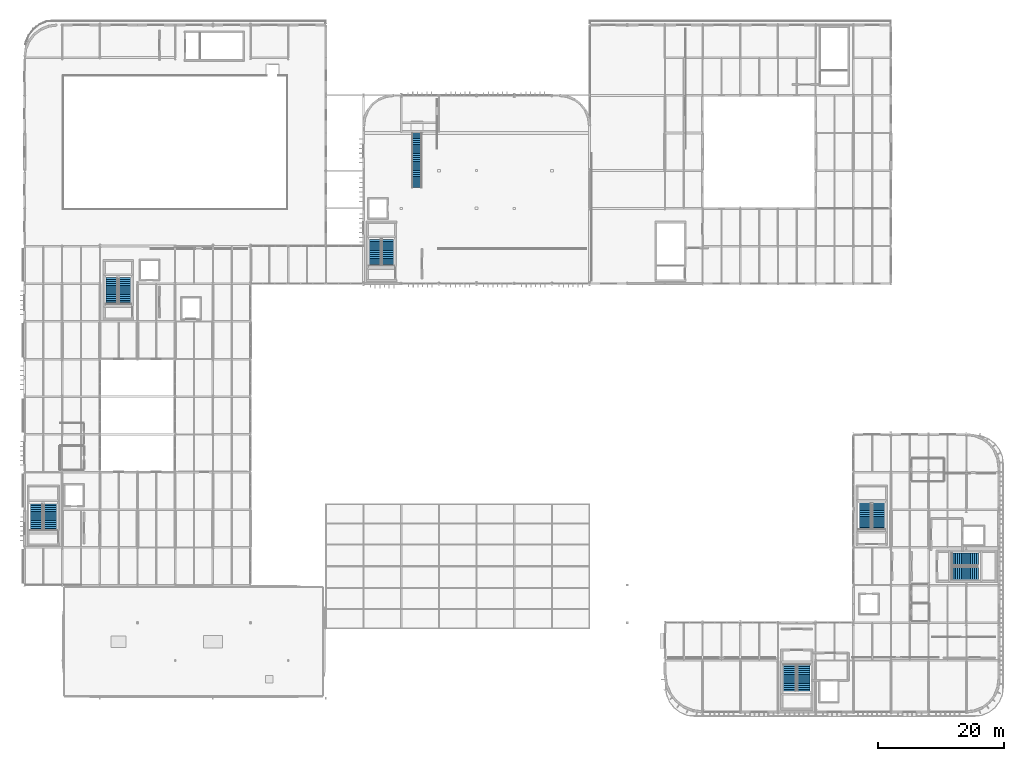
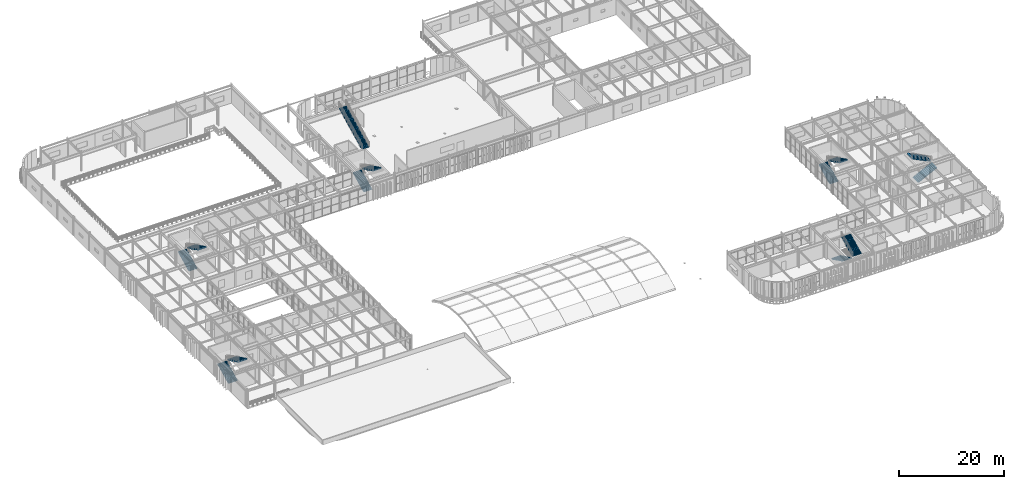
# One storey, part 65 of 84: 13 stair flights, 7 elements without a shape of their own.
"""IFC4 building model written with IfcOpenShell, lengths in metres."""

from ifc_helpers import new_model, si_unit, direction, frame, origin, place, context, subcontext, project, spatial, polyline, outline, extrude, material, type_object, element, aggregate, save


model = new_model("IFC4")

# Units and contexts
model_context = context("Model", 3, precision=1e-05, world=origin(), true_north=direction((0.0, 1.0)))
body_context = subcontext(model_context, "Body", "Model", "MODEL_VIEW")
ifc_project = project(units=[si_unit("LENGTHUNIT", "METRE"), si_unit("AREAUNIT", "SQUARE_METRE"), si_unit("VOLUMEUNIT", "CUBIC_METRE"), si_unit("PLANEANGLEUNIT", "RADIAN"), si_unit("MASSUNIT", "GRAM", prefix="KILO")], contexts=[model_context])

# Site, building, storey
site_placement = place(None, origin())
site = spatial("IfcSite", under=ifc_project, at=site_placement, CompositionType="ELEMENT")
building_placement = place(site_placement, origin())
building = spatial("IfcBuilding", under=site, at=building_placement, Name="Varnakota Square Police Headquarters", CompositionType="ELEMENT")
storey_placement = place(building_placement, frame((0.0, 0.0, 13.5)))
storey = spatial("IfcBuildingStorey", under=building, at=storey_placement, Name="L03", CompositionType="ELEMENT", Elevation=13.5)

# Stair, stair flights
ifc_material_1 = material(Name="Concrete M40", Category="concrete")
stair_type_1 = type_object("IfcStairType", Name="STR-DOG-1850", PredefinedType="USERDEFINED", material=ifc_material_1)
stair_1_placement = place(storey_placement, origin())
stair_1 = element("IfcStair", 1, at=stair_1_placement, inside=storey, type_object=stair_type_1, Name="Protected exit stair ST5 (L03)", ObjectType="TWO_RETURN_STAIR", PredefinedType="USERDEFINED")
stair_flight_type_1 = type_object("IfcStairFlightType", Name="SFL-DOG-1850", PredefinedType="STRAIGHT", material=ifc_material_1)
stair_flight_1_placement = place(storey_placement, frame((19.945068359375, 65.75, 0.0), z_axis=(0.0, 0.0, 1.0), x_axis=(0.0, 1.0, 0.0)))
stair_flight_1 = element("IfcStairFlight", 2, at=stair_flight_1_placement, type_object=stair_flight_type_1, Name="ST5-L03 flight 1", NumberOfRisers=15, NumberOfTreads=14, PredefinedType="STRAIGHT", RiserHeight=0.15, TreadLength=0.3, context=body_context, shape_type="SweptSolid", body=[
    extrude(outline(polyline([(0.0, 0.0), (0.0, 0.14990234375), (0.300048828125, 0.14990234375), (0.300048828125, 0.300048828125), (0.60009765625, 0.300048828125), (0.60009765625, 0.449951171875), (0.900146484375, 0.449951171875), (0.900146484375, 0.60009765625), (1.2001953125, 0.60009765625), (1.2001953125, 0.75), (1.500244140625, 0.75), (1.500244140625, 0.89990234375), (1.80029296875, 0.89990234375), (1.80029296875, 1.050048828125), (2.100341796875, 1.050048828125), (2.100341796875, 1.199951171875), (2.400390625, 1.199951171875), (2.400390625, 1.35009765625), (2.700439453125, 1.35009765625), (2.700439453125, 1.5), (3.00048828125, 1.5), (3.00048828125, 1.64990234375), (3.300537109375, 1.64990234375), (3.300537109375, 1.800048828125), (3.6005859375, 1.800048828125), (3.6005859375, 1.949951171875), (3.900634765625, 1.949951171875), (3.900634765625, 2.10009765625), (4.20068359375, 2.10009765625), (4.20068359375, 2.25), (4.20068359375, 1.89892578125), (0.40234375, 0.0), (0.0, 0.0)])), frame((0.0, 0.925048828125, 0.0), z_axis=(0.0, -1.0, 0.0), x_axis=(1.0, 0.0, 0.0)), (0.0, 0.0, 1.0), 1.85009765625),
])
stair_flight_2_placement = place(storey_placement, frame((21.955078125, 69.95068359375, 2.25), z_axis=(0.0, 0.0, 1.0), x_axis=(0.0, -1.0, 0.0)))
stair_flight_2 = element("IfcStairFlight", 3, at=stair_flight_2_placement, type_object=stair_flight_type_1, Name="ST5-L03 flight 2", NumberOfRisers=15, NumberOfTreads=14, PredefinedType="STRAIGHT", RiserHeight=0.15, TreadLength=0.3, context=body_context, shape_type="SweptSolid", body=[
    extrude(outline(polyline([(0.0, 0.0), (0.0, 0.14990234375), (0.300048828125, 0.14990234375), (0.300048828125, 0.300048828125), (0.60009765625, 0.300048828125), (0.60009765625, 0.449951171875), (0.900146484375, 0.449951171875), (0.900146484375, 0.60009765625), (1.2001953125, 0.60009765625), (1.2001953125, 0.75), (1.500244140625, 0.75), (1.500244140625, 0.89990234375), (1.80029296875, 0.89990234375), (1.80029296875, 1.050048828125), (2.100341796875, 1.050048828125), (2.100341796875, 1.199951171875), (2.400390625, 1.199951171875), (2.400390625, 1.35009765625), (2.700439453125, 1.35009765625), (2.700439453125, 1.5), (3.00048828125, 1.5), (3.00048828125, 1.64990234375), (3.300537109375, 1.64990234375), (3.300537109375, 1.800048828125), (3.6005859375, 1.800048828125), (3.6005859375, 1.949951171875), (3.900634765625, 1.949951171875), (3.900634765625, 2.10009765625), (4.20068359375, 2.10009765625), (4.20068359375, 2.25), (4.20068359375, 1.89892578125), (0.40234375, 0.0), (0.0, 0.0)])), frame((0.0, 0.925048828125, 0.0), z_axis=(0.0, -1.0, 0.0), x_axis=(1.0, 0.0, 0.0)), (0.0, 0.0, 1.0), 1.85009765625),
])
aggregate(stair_1, [stair_flight_1, stair_flight_2])

stair_2_placement = place(storey_placement, origin())
stair_2 = element("IfcStair", 4, at=stair_2_placement, inside=storey, type_object=stair_type_1, Name="Protected exit stair ST6 (L03)", ObjectType="TWO_RETURN_STAIR", PredefinedType="USERDEFINED")
stair_flight_3_placement = place(storey_placement, frame((61.844970703125, 71.85009765625, 0.0), z_axis=(0.0, 0.0, 1.0), x_axis=(0.0, 1.0, 0.0)))
stair_flight_3 = element("IfcStairFlight", 5, at=stair_flight_3_placement, type_object=stair_flight_type_1, Name="ST6-L03 flight 1", NumberOfRisers=15, NumberOfTreads=14, PredefinedType="STRAIGHT", RiserHeight=0.15, TreadLength=0.3, context=body_context, shape_type="SweptSolid", body=[
    extrude(outline(polyline([(0.0, 0.0), (0.0, 0.14990234375), (0.300048828125, 0.14990234375), (0.300048828125, 0.300048828125), (0.60009765625, 0.300048828125), (0.60009765625, 0.449951171875), (0.900146484375, 0.449951171875), (0.900146484375, 0.60009765625), (1.2001953125, 0.60009765625), (1.2001953125, 0.75), (1.500244140625, 0.75), (1.500244140625, 0.89990234375), (1.80029296875, 0.89990234375), (1.80029296875, 1.050048828125), (2.100341796875, 1.050048828125), (2.100341796875, 1.199951171875), (2.400390625, 1.199951171875), (2.400390625, 1.35009765625), (2.700439453125, 1.35009765625), (2.700439453125, 1.5), (3.00048828125, 1.5), (3.00048828125, 1.64990234375), (3.300537109375, 1.64990234375), (3.300537109375, 1.800048828125), (3.6005859375, 1.800048828125), (3.6005859375, 1.949951171875), (3.900634765625, 1.949951171875), (3.900634765625, 2.10009765625), (4.20068359375, 2.10009765625), (4.20068359375, 2.25), (4.20068359375, 1.89892578125), (0.40234375, 0.0), (0.0, 0.0)])), frame((0.0, 0.925048828125, 0.0), z_axis=(0.0, -1.0, 0.0), x_axis=(1.0, 0.0, 0.0)), (0.0, 0.0, 1.0), 1.85009765625),
])
stair_flight_4_placement = place(storey_placement, frame((63.85498046875, 76.05078125, 2.25), z_axis=(0.0, 0.0, 1.0), x_axis=(0.0, -1.0, 0.0)))
stair_flight_4 = element("IfcStairFlight", 6, at=stair_flight_4_placement, type_object=stair_flight_type_1, Name="ST6-L03 flight 2", NumberOfRisers=15, NumberOfTreads=14, PredefinedType="STRAIGHT", RiserHeight=0.15, TreadLength=0.3, context=body_context, shape_type="SweptSolid", body=[
    extrude(outline(polyline([(0.0, 0.0), (0.0, 0.14990234375), (0.300048828125, 0.14990234375), (0.300048828125, 0.300048828125), (0.60009765625, 0.300048828125), (0.60009765625, 0.449951171875), (0.900146484375, 0.449951171875), (0.900146484375, 0.60009765625), (1.2001953125, 0.60009765625), (1.2001953125, 0.75), (1.500244140625, 0.75), (1.500244140625, 0.89990234375), (1.80029296875, 0.89990234375), (1.80029296875, 1.050048828125), (2.100341796875, 1.050048828125), (2.100341796875, 1.199951171875), (2.400390625, 1.199951171875), (2.400390625, 1.35009765625), (2.700439453125, 1.35009765625), (2.700439453125, 1.5), (3.00048828125, 1.5), (3.00048828125, 1.64990234375), (3.300537109375, 1.64990234375), (3.300537109375, 1.800048828125), (3.6005859375, 1.800048828125), (3.6005859375, 1.949951171875), (3.900634765625, 1.949951171875), (3.900634765625, 2.10009765625), (4.20068359375, 2.10009765625), (4.20068359375, 2.25), (4.20068359375, 1.89892578125), (0.40234375, 0.0), (0.0, 0.0)])), frame((0.0, 0.925048828125, 0.0), z_axis=(0.0, -1.0, 0.0), x_axis=(1.0, 0.0, 0.0)), (0.0, 0.0, 1.0), 1.85009765625),
])
aggregate(stair_2, [stair_flight_3, stair_flight_4])

stair_type_2 = type_object("IfcStairType", Name="STR-DOG-1900", PredefinedType="USERDEFINED", material=ifc_material_1)
stair_3_placement = place(storey_placement, origin())
stair_3 = element("IfcStair", 7, at=stair_3_placement, inside=storey, type_object=stair_type_2, Name="Protected exit stair ST3 (L03)", ObjectType="TWO_RETURN_STAIR", PredefinedType="USERDEFINED")
stair_flight_type_2 = type_object("IfcStairFlightType", Name="SFL-DOG-1900", PredefinedType="STRAIGHT", material=ifc_material_1)
stair_flight_5_placement = place(storey_placement, frame((139.919921875, 29.85009765625, 0.0), z_axis=(0.0, 0.0, 1.0), x_axis=(0.0, 1.0, 0.0)))
stair_flight_5 = element("IfcStairFlight", 8, at=stair_flight_5_placement, type_object=stair_flight_type_2, Name="ST3-L03 flight 1", NumberOfRisers=15, NumberOfTreads=14, PredefinedType="STRAIGHT", RiserHeight=0.15, TreadLength=0.3, context=body_context, shape_type="SweptSolid", body=[
    extrude(outline(polyline([(0.0, 0.0), (0.0, 0.14990234375), (0.300048828125, 0.14990234375), (0.300048828125, 0.300048828125), (0.60009765625, 0.300048828125), (0.60009765625, 0.449951171875), (0.900146484375, 0.449951171875), (0.900146484375, 0.60009765625), (1.2001953125, 0.60009765625), (1.2001953125, 0.75), (1.500244140625, 0.75), (1.500244140625, 0.89990234375), (1.80029296875, 0.89990234375), (1.80029296875, 1.050048828125), (2.100341796875, 1.050048828125), (2.100341796875, 1.199951171875), (2.400390625, 1.199951171875), (2.400390625, 1.35009765625), (2.700439453125, 1.35009765625), (2.700439453125, 1.5), (3.00048828125, 1.5), (3.00048828125, 1.64990234375), (3.300537109375, 1.64990234375), (3.300537109375, 1.800048828125), (3.6005859375, 1.800048828125), (3.6005859375, 1.949951171875), (3.900634765625, 1.949951171875), (3.900634765625, 2.10009765625), (4.20068359375, 2.10009765625), (4.20068359375, 2.25), (4.20068359375, 1.89892578125), (0.40234375, 0.0), (0.0, 0.0)])), frame((0.0, 0.949951171875, 0.0), z_axis=(0.0, -1.0, 0.0), x_axis=(1.0, 0.0, 0.0)), (0.0, 0.0, 1.0), 1.89990234375),
])
stair_flight_6_placement = place(storey_placement, frame((141.97998046875, 34.05078125, 2.25), z_axis=(0.0, 0.0, 1.0), x_axis=(0.0, -1.0, 0.0)))
stair_flight_6 = element("IfcStairFlight", 9, at=stair_flight_6_placement, type_object=stair_flight_type_2, Name="ST3-L03 flight 2", NumberOfRisers=15, NumberOfTreads=14, PredefinedType="STRAIGHT", RiserHeight=0.15, TreadLength=0.3, context=body_context, shape_type="SweptSolid", body=[
    extrude(outline(polyline([(0.0, 0.0), (0.0, 0.14990234375), (0.300048828125, 0.14990234375), (0.300048828125, 0.300048828125), (0.60009765625, 0.300048828125), (0.60009765625, 0.449951171875), (0.900146484375, 0.449951171875), (0.900146484375, 0.60009765625), (1.2001953125, 0.60009765625), (1.2001953125, 0.75), (1.500244140625, 0.75), (1.500244140625, 0.89990234375), (1.80029296875, 0.89990234375), (1.80029296875, 1.050048828125), (2.100341796875, 1.050048828125), (2.100341796875, 1.199951171875), (2.400390625, 1.199951171875), (2.400390625, 1.35009765625), (2.700439453125, 1.35009765625), (2.700439453125, 1.5), (3.00048828125, 1.5), (3.00048828125, 1.64990234375), (3.300537109375, 1.64990234375), (3.300537109375, 1.800048828125), (3.6005859375, 1.800048828125), (3.6005859375, 1.949951171875), (3.900634765625, 1.949951171875), (3.900634765625, 2.10009765625), (4.20068359375, 2.10009765625), (4.20068359375, 2.25), (4.20068359375, 1.89892578125), (0.40234375, 0.0), (0.0, 0.0)])), frame((0.0, 0.949951171875, 0.0), z_axis=(0.0, -1.0, 0.0), x_axis=(1.0, 0.0, 0.0)), (0.0, 0.0, 1.0), 1.89990234375),
])
aggregate(stair_3, [stair_flight_5, stair_flight_6])

stair_type_3 = type_object("IfcStairType", Name="STR-DOG-2000", PredefinedType="USERDEFINED", material=ifc_material_1)
stair_4_placement = place(storey_placement, origin())
stair_4 = element("IfcStair", 10, at=stair_4_placement, inside=storey, type_object=stair_type_3, Name="Protected exit stair ST1 (L03)", ObjectType="TWO_RETURN_STAIR", PredefinedType="USERDEFINED")
stair_flight_type_3 = type_object("IfcStairFlightType", Name="SFL-DOG-2000", PredefinedType="STRAIGHT", material=ifc_material_1)
stair_flight_7_placement = place(storey_placement, frame((127.919921875, 8.300048828125, 0.0), z_axis=(0.0, 0.0, 1.0), x_axis=(0.0, -1.0, 0.0)))
stair_flight_7 = element("IfcStairFlight", 11, at=stair_flight_7_placement, type_object=stair_flight_type_3, Name="ST1-L03 flight 1", NumberOfRisers=15, NumberOfTreads=14, PredefinedType="STRAIGHT", RiserHeight=0.15, TreadLength=0.3, context=body_context, shape_type="SweptSolid", body=[
    extrude(outline(polyline([(0.0, 0.0), (0.0, 0.14990234375), (0.300048828125, 0.14990234375), (0.300048828125, 0.300048828125), (0.60009765625, 0.300048828125), (0.60009765625, 0.449951171875), (0.900146484375, 0.449951171875), (0.900146484375, 0.60009765625), (1.2001953125, 0.60009765625), (1.2001953125, 0.75), (1.500244140625, 0.75), (1.500244140625, 0.89990234375), (1.80029296875, 0.89990234375), (1.80029296875, 1.050048828125), (2.100341796875, 1.050048828125), (2.100341796875, 1.199951171875), (2.400390625, 1.199951171875), (2.400390625, 1.35009765625), (2.700439453125, 1.35009765625), (2.700439453125, 1.5), (3.00048828125, 1.5), (3.00048828125, 1.64990234375), (3.300537109375, 1.64990234375), (3.300537109375, 1.800048828125), (3.6005859375, 1.800048828125), (3.6005859375, 1.949951171875), (3.900634765625, 1.949951171875), (3.900634765625, 2.10009765625), (4.20068359375, 2.10009765625), (4.20068359375, 2.25), (4.20068359375, 1.89892578125), (0.40234375, 0.0), (0.0, 0.0)])), frame((0.0, 1.0, 0.0), z_axis=(0.0, -1.0, 0.0), x_axis=(1.0, 0.0, 0.0)), (0.0, 0.0, 1.0), 2.0),
])
stair_flight_8_placement = place(storey_placement, frame((130.080078125, 4.099365234375, 2.25), z_axis=(0.0, 0.0, 1.0), x_axis=(0.0, 1.0, 0.0)))
stair_flight_8 = element("IfcStairFlight", 12, at=stair_flight_8_placement, type_object=stair_flight_type_3, Name="ST1-L03 flight 2", NumberOfRisers=15, NumberOfTreads=14, PredefinedType="STRAIGHT", RiserHeight=0.15, TreadLength=0.3, context=body_context, shape_type="SweptSolid", body=[
    extrude(outline(polyline([(0.0, 0.0), (0.0, 0.14990234375), (0.300048828125, 0.14990234375), (0.300048828125, 0.300048828125), (0.60009765625, 0.300048828125), (0.60009765625, 0.449951171875), (0.900146484375, 0.449951171875), (0.900146484375, 0.60009765625), (1.2001953125, 0.60009765625), (1.2001953125, 0.75), (1.500244140625, 0.75), (1.500244140625, 0.89990234375), (1.80029296875, 0.89990234375), (1.80029296875, 1.050048828125), (2.100341796875, 1.050048828125), (2.100341796875, 1.199951171875), (2.400390625, 1.199951171875), (2.400390625, 1.35009765625), (2.700439453125, 1.35009765625), (2.700439453125, 1.5), (3.00048828125, 1.5), (3.00048828125, 1.64990234375), (3.300537109375, 1.64990234375), (3.300537109375, 1.800048828125), (3.6005859375, 1.800048828125), (3.6005859375, 1.949951171875), (3.900634765625, 1.949951171875), (3.900634765625, 2.10009765625), (4.20068359375, 2.10009765625), (4.20068359375, 2.25), (4.20068359375, 1.89892578125), (0.40234375, 0.0), (0.0, 0.0)])), frame((0.0, 1.0, 0.0), z_axis=(0.0, -1.0, 0.0), x_axis=(1.0, 0.0, 0.0)), (0.0, 0.0, 1.0), 2.0),
])
aggregate(stair_4, [stair_flight_7, stair_flight_8])

stair_5_placement = place(storey_placement, origin())
stair_5 = element("IfcStair", 13, at=stair_5_placement, inside=storey, type_object=stair_type_3, Name="Protected exit stair ST2 (L03)", ObjectType="TWO_RETURN_STAIR", PredefinedType="USERDEFINED")
stair_flight_9_placement = place(storey_placement, frame((153.699951171875, 22.919921875, 0.0), z_axis=(0.0, 0.0, 1.0), x_axis=(1.0, 0.0, 0.0)))
stair_flight_9 = element("IfcStairFlight", 14, at=stair_flight_9_placement, type_object=stair_flight_type_3, Name="ST2-L03 flight 1", NumberOfRisers=15, NumberOfTreads=14, PredefinedType="STRAIGHT", RiserHeight=0.15, TreadLength=0.3, context=body_context, shape_type="SweptSolid", body=[
    extrude(outline(polyline([(0.0, 0.0), (0.0, 0.14990234375), (0.300048828125, 0.14990234375), (0.300048828125, 0.300048828125), (0.60009765625, 0.300048828125), (0.60009765625, 0.449951171875), (0.900146484375, 0.449951171875), (0.900146484375, 0.60009765625), (1.2001953125, 0.60009765625), (1.2001953125, 0.75), (1.500244140625, 0.75), (1.500244140625, 0.89990234375), (1.80029296875, 0.89990234375), (1.80029296875, 1.050048828125), (2.100341796875, 1.050048828125), (2.100341796875, 1.199951171875), (2.400390625, 1.199951171875), (2.400390625, 1.35009765625), (2.700439453125, 1.35009765625), (2.700439453125, 1.5), (3.00048828125, 1.5), (3.00048828125, 1.64990234375), (3.300537109375, 1.64990234375), (3.300537109375, 1.800048828125), (3.6005859375, 1.800048828125), (3.6005859375, 1.949951171875), (3.900634765625, 1.949951171875), (3.900634765625, 2.10009765625), (4.20068359375, 2.10009765625), (4.20068359375, 2.25), (4.20068359375, 1.89892578125), (0.40234375, 0.0), (0.0, 0.0)])), frame((0.0, 1.0, 0.0), z_axis=(0.0, -1.0, 0.0), x_axis=(1.0, 0.0, 0.0)), (0.0, 0.0, 1.0), 2.0),
])
stair_flight_10_placement = place(storey_placement, frame((157.900634765625, 25.080078125, 2.25), z_axis=(0.0, 0.0, 1.0), x_axis=(-1.0, 0.0, 0.0)))
stair_flight_10 = element("IfcStairFlight", 15, at=stair_flight_10_placement, type_object=stair_flight_type_3, Name="ST2-L03 flight 2", NumberOfRisers=15, NumberOfTreads=14, PredefinedType="STRAIGHT", RiserHeight=0.15, TreadLength=0.3, context=body_context, shape_type="SweptSolid", body=[
    extrude(outline(polyline([(0.0, 0.0), (0.0, 0.14990234375), (0.300048828125, 0.14990234375), (0.300048828125, 0.300048828125), (0.60009765625, 0.300048828125), (0.60009765625, 0.449951171875), (0.900146484375, 0.449951171875), (0.900146484375, 0.60009765625), (1.2001953125, 0.60009765625), (1.2001953125, 0.75), (1.500244140625, 0.75), (1.500244140625, 0.89990234375), (1.80029296875, 0.89990234375), (1.80029296875, 1.050048828125), (2.100341796875, 1.050048828125), (2.100341796875, 1.199951171875), (2.400390625, 1.199951171875), (2.400390625, 1.35009765625), (2.700439453125, 1.35009765625), (2.700439453125, 1.5), (3.00048828125, 1.5), (3.00048828125, 1.64990234375), (3.300537109375, 1.64990234375), (3.300537109375, 1.800048828125), (3.6005859375, 1.800048828125), (3.6005859375, 1.949951171875), (3.900634765625, 1.949951171875), (3.900634765625, 2.10009765625), (4.20068359375, 2.10009765625), (4.20068359375, 2.25), (4.20068359375, 1.89892578125), (0.40234375, 0.0), (0.0, 0.0)])), frame((0.0, 1.0, 0.0), z_axis=(0.0, -1.0, 0.0), x_axis=(1.0, 0.0, 0.0)), (0.0, 0.0, 1.0), 2.0),
])
aggregate(stair_5, [stair_flight_9, stair_flight_10])

stair_6_placement = place(storey_placement, origin())
stair_6 = element("IfcStair", 16, at=stair_6_placement, inside=storey, type_object=stair_type_3, Name="Protected exit stair ST4 (L03)", ObjectType="TWO_RETURN_STAIR", PredefinedType="USERDEFINED")
stair_flight_11_placement = place(storey_placement, frame((7.919921875, 29.75, 0.0), z_axis=(0.0, 0.0, 1.0), x_axis=(0.0, 1.0, 0.0)))
stair_flight_11 = element("IfcStairFlight", 17, at=stair_flight_11_placement, type_object=stair_flight_type_3, Name="ST4-L03 flight 1", NumberOfRisers=15, NumberOfTreads=14, PredefinedType="STRAIGHT", RiserHeight=0.15, TreadLength=0.3, context=body_context, shape_type="SweptSolid", body=[
    extrude(outline(polyline([(0.0, 0.0), (0.0, 0.14990234375), (0.300048828125, 0.14990234375), (0.300048828125, 0.300048828125), (0.60009765625, 0.300048828125), (0.60009765625, 0.449951171875), (0.900146484375, 0.449951171875), (0.900146484375, 0.60009765625), (1.2001953125, 0.60009765625), (1.2001953125, 0.75), (1.500244140625, 0.75), (1.500244140625, 0.89990234375), (1.80029296875, 0.89990234375), (1.80029296875, 1.050048828125), (2.100341796875, 1.050048828125), (2.100341796875, 1.199951171875), (2.400390625, 1.199951171875), (2.400390625, 1.35009765625), (2.700439453125, 1.35009765625), (2.700439453125, 1.5), (3.00048828125, 1.5), (3.00048828125, 1.64990234375), (3.300537109375, 1.64990234375), (3.300537109375, 1.800048828125), (3.6005859375, 1.800048828125), (3.6005859375, 1.949951171875), (3.900634765625, 1.949951171875), (3.900634765625, 2.10009765625), (4.20068359375, 2.10009765625), (4.20068359375, 2.25), (4.20068359375, 1.89892578125), (0.40234375, 0.0), (0.0, 0.0)])), frame((0.0, 1.0, 0.0), z_axis=(0.0, -1.0, 0.0), x_axis=(1.0, 0.0, 0.0)), (0.0, 0.0, 1.0), 2.0),
])
stair_flight_12_placement = place(storey_placement, frame((10.080078125, 33.95068359375, 2.25), z_axis=(0.0, 0.0, 1.0), x_axis=(0.0, -1.0, 0.0)))
stair_flight_12 = element("IfcStairFlight", 18, at=stair_flight_12_placement, type_object=stair_flight_type_3, Name="ST4-L03 flight 2", NumberOfRisers=15, NumberOfTreads=14, PredefinedType="STRAIGHT", RiserHeight=0.15, TreadLength=0.3, context=body_context, shape_type="SweptSolid", body=[
    extrude(outline(polyline([(0.0, 0.0), (0.0, 0.14990234375), (0.300048828125, 0.14990234375), (0.300048828125, 0.300048828125), (0.60009765625, 0.300048828125), (0.60009765625, 0.449951171875), (0.900146484375, 0.449951171875), (0.900146484375, 0.60009765625), (1.2001953125, 0.60009765625), (1.2001953125, 0.75), (1.500244140625, 0.75), (1.500244140625, 0.89990234375), (1.80029296875, 0.89990234375), (1.80029296875, 1.050048828125), (2.100341796875, 1.050048828125), (2.100341796875, 1.199951171875), (2.400390625, 1.199951171875), (2.400390625, 1.35009765625), (2.700439453125, 1.35009765625), (2.700439453125, 1.5), (3.00048828125, 1.5), (3.00048828125, 1.64990234375), (3.300537109375, 1.64990234375), (3.300537109375, 1.800048828125), (3.6005859375, 1.800048828125), (3.6005859375, 1.949951171875), (3.900634765625, 1.949951171875), (3.900634765625, 2.10009765625), (4.20068359375, 2.10009765625), (4.20068359375, 2.25), (4.20068359375, 1.89892578125), (0.40234375, 0.0), (0.0, 0.0)])), frame((0.0, 1.0, 0.0), z_axis=(0.0, -1.0, 0.0), x_axis=(1.0, 0.0, 0.0)), (0.0, 0.0, 1.0), 2.0),
])
aggregate(stair_6, [stair_flight_11, stair_flight_12])

# Stair, stair flight
ifc_material_2 = material(Name="Precast concrete M40", Category="concrete")
stair_type_4 = type_object("IfcStairType", Name="STR-FEAT-1600", PredefinedType="STRAIGHT_RUN_STAIR", material=ifc_material_2)
stair_7_placement = place(storey_placement, origin())
stair_7 = element("IfcStair", 19, at=stair_7_placement, inside=storey, type_object=stair_type_4, Name="Civic feature straight-run stair ST-CMD1", PredefinedType="STRAIGHT_RUN_STAIR")
stair_flight_type_4 = type_object("IfcStairFlightType", Name="SFL-FEAT-1600", PredefinedType="STRAIGHT", material=ifc_material_2)
stair_flight_13_placement = place(storey_placement, frame((68.5, 84.298583984375, 0.0), z_axis=(0.0, 0.0, 1.0), x_axis=(0.0, 1.0, 0.0)))
stair_flight_13 = element("IfcStairFlight", 20, at=stair_flight_13_placement, type_object=stair_flight_type_4, Name="ST-CMD1 flight 1", NumberOfRisers=30, NumberOfTreads=29, PredefinedType="STRAIGHT", RiserHeight=0.15, TreadLength=0.3, context=body_context, shape_type="SweptSolid", body=[
    extrude(outline(polyline([(0.0, 0.0), (0.0, 0.14990234375), (0.300048828125, 0.14990234375), (0.300048828125, 0.300048828125), (0.60009765625, 0.300048828125), (0.60009765625, 0.449951171875), (0.900146484375, 0.449951171875), (0.900146484375, 0.60009765625), (1.2001953125, 0.60009765625), (1.2001953125, 0.75), (1.500244140625, 0.75), (1.500244140625, 0.89990234375), (1.80029296875, 0.89990234375), (1.80029296875, 1.050048828125), (2.100341796875, 1.050048828125), (2.100341796875, 1.199951171875), (2.400390625, 1.199951171875), (2.400390625, 1.35009765625), (2.700439453125, 1.35009765625), (2.700439453125, 1.5), (3.00048828125, 1.5), (3.00048828125, 1.64990234375), (3.300537109375, 1.64990234375), (3.300537109375, 1.800048828125), (3.6005859375, 1.800048828125), (3.6005859375, 1.949951171875), (3.900634765625, 1.949951171875), (3.900634765625, 2.10009765625), (4.20068359375, 2.10009765625), (4.20068359375, 2.25), (4.500732421875, 2.25), (4.500732421875, 2.39990234375), (4.80078125, 2.39990234375), (4.80078125, 2.550048828125), (5.100830078125, 2.550048828125), (5.100830078125, 2.699951171875), (5.40087890625, 2.699951171875), (5.40087890625, 2.85009765625), (5.700927734375, 2.85009765625), (5.700927734375, 3.0), (6.0009765625, 3.0), (6.0009765625, 3.14990234375), (6.301025390625, 3.14990234375), (6.301025390625, 3.300048828125), (6.60107421875, 3.300048828125), (6.60107421875, 3.449951171875), (6.901123046875, 3.449951171875), (6.901123046875, 3.60009765625), (7.201171875, 3.60009765625), (7.201171875, 3.75), (7.501220703125, 3.75), (7.501220703125, 3.89990234375), (7.80126953125, 3.89990234375), (7.80126953125, 4.050048828125), (8.101318359375, 4.050048828125), (8.101318359375, 4.199951171875), (8.4013671875, 4.199951171875), (8.4013671875, 4.35009765625), (8.701416015625, 4.35009765625), (8.701416015625, 4.5), (8.701416015625, 4.12646484375), (0.447265625, 0.0), (0.0, 0.0)])), frame((0.0, 0.800048828125, 0.0), z_axis=(0.0, -1.0, 0.0), x_axis=(1.0, 0.0, 0.0)), (0.0, 0.0, 1.0), 1.60009765625),
])
aggregate(stair_7, [stair_flight_13])

save(model, "model.ifc")
